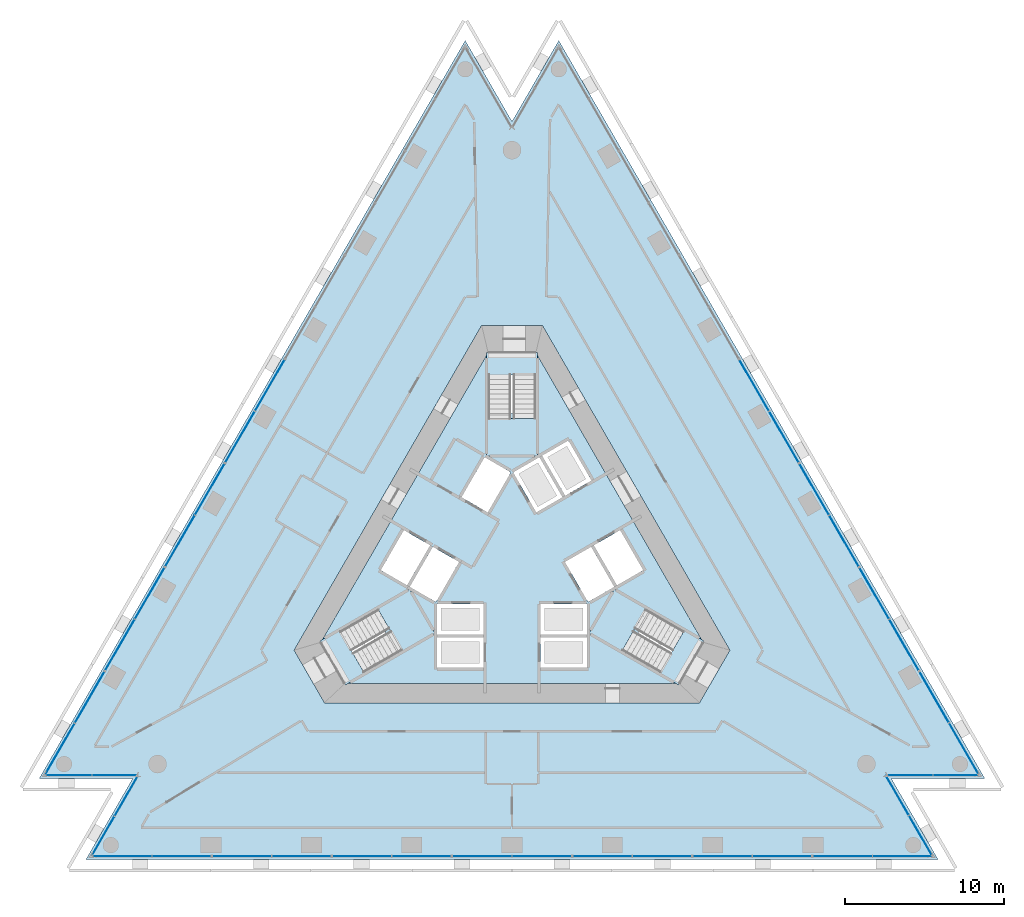
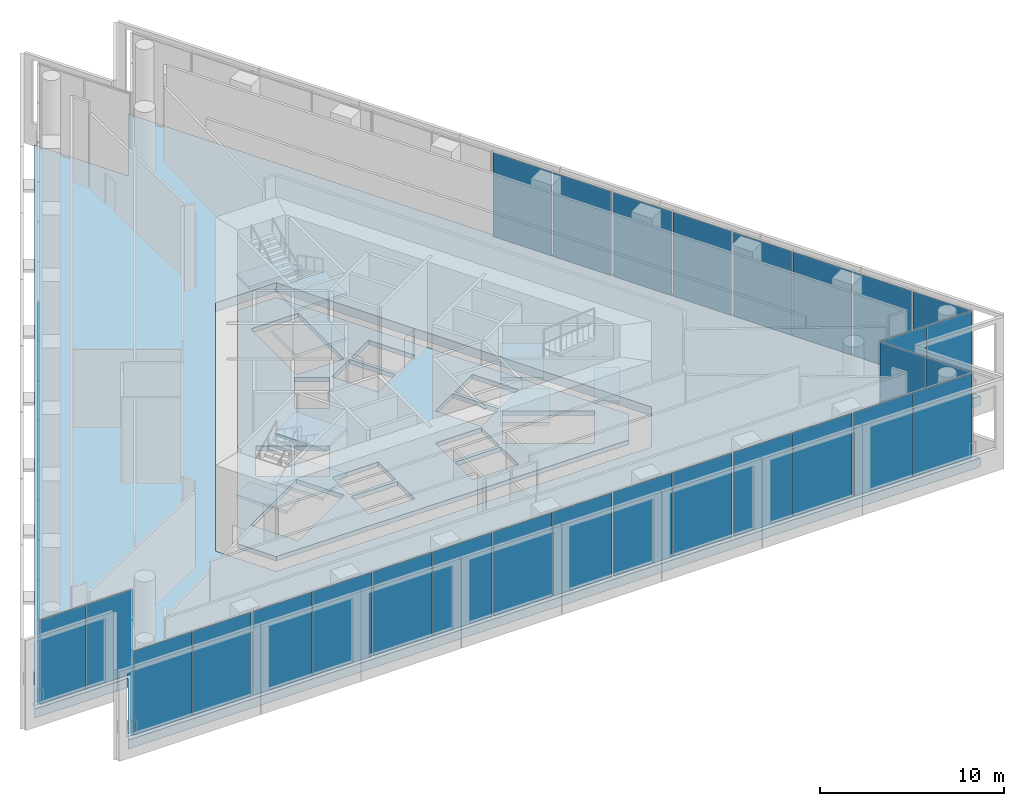
# One storey, part 9 of 18: 38 plates, 11 slabs, 22 elements without a shape of their own.
"""IFC4 building model written with IfcOpenShell, lengths in metres."""

from ifc_helpers import new_model, si_unit, direction, frame, origin, origin_2d, place, context, subcontext, project, spatial, polyline, rectangle, outline, extrude, material, layer, layer_set, type_object, element, aggregate, save


model = new_model("IFC4")

# Units and contexts
model_context = context("Model", 3, precision=1e-05, world=origin(), true_north=direction((0.0, 1.0)))
body_context = subcontext(model_context, "Body", "Model", "MODEL_VIEW")
ifc_project = project(units=[si_unit("LENGTHUNIT", "METRE"), si_unit("AREAUNIT", "SQUARE_METRE"), si_unit("VOLUMEUNIT", "CUBIC_METRE"), si_unit("PLANEANGLEUNIT", "RADIAN"), si_unit("MASSUNIT", "GRAM", prefix="KILO")], contexts=[model_context])

# Site, building, storey
site_placement = place(None, origin())
site = spatial("IfcSite", under=ifc_project, at=site_placement, CompositionType="ELEMENT")
building_placement = place(site_placement, origin())
building = spatial("IfcBuilding", under=site, at=building_placement, Name="Triada Interchange Tower", CompositionType="ELEMENT")
storey_placement = place(building_placement, frame((0.0, 0.0, 185.300048828125)))
storey = spatial("IfcBuildingStorey", under=building, at=storey_placement, Name="L43", CompositionType="ELEMENT", Elevation=185.300048828125)

# Slab
ifc_material_1 = material(Name="Concrete C50/60", Category="concrete")
ifc_layer_1 = layer(ifc_material_1, 0.300048828125)
ifc_layer_set_1 = layer_set([ifc_layer_1], Name="Floor slab 300")
slab_type_1 = type_object("IfcSlabType", Name="Floor slab 300", PredefinedType="FLOOR", material=ifc_layer_set_1)
slab_1_placement = place(storey_placement, frame((0.0, 0.0, -0.300048828125)))
element("IfcSlab", 1, at=slab_1_placement, inside=storey, type_object=slab_type_1, Name="Core floor slab L43 1", PredefinedType="FLOOR", context=body_context, shape_type="SweptSolid", body=[
    extrude(outline(polyline([(12.298095703125, -5.699951171875), (11.0849609375, -7.800048828125), (-11.0849609375, -7.800048828125), (-12.298095703125, -5.699951171875), (-1.2119140625, 13.5), (1.2119140625, 13.5), (12.298095703125, -5.699951171875)]), holes=[polyline([(9.2958984375, -7.09912109375), (10.7958984375, -4.5009765625), (6.466064453125, -2.0009765625), (4.966064453125, -4.59912109375), (9.2958984375, -7.09912109375)]), polyline([(6.7890625, 1.841064453125), (5.14404296875, 0.89111328125), (6.593994140625, -1.6201171875), (8.239013671875, -0.669921875), (6.7890625, 1.841064453125)]), polyline([(4.969970703125, 0.791015625), (3.324951171875, -0.158935546875), (4.77490234375, -2.669921875), (6.419921875, -1.719970703125), (4.969970703125, 0.791015625)]), polyline([(1.89404296875, 6.52001953125), (3.343994140625, 4.009033203125), (4.989013671875, 4.958984375), (3.5390625, 7.469970703125), (1.89404296875, 6.52001953125)]), polyline([(1.800048828125, -5.4150390625), (1.800048828125, -6.800048828125), (4.699951171875, -6.800048828125), (4.699951171875, -4.89990234375), (1.800048828125, -4.89990234375), (1.800048828125, -5.4150390625)]), polyline([(4.699951171875, -2.800048828125), (1.800048828125, -2.800048828125), (1.800048828125, -4.699951171875), (4.699951171875, -4.699951171875), (4.699951171875, -2.800048828125)]), polyline([(1.52490234375, 2.958984375), (1.68994140625, 3.053955078125), (3.169921875, 3.908935546875), (1.719970703125, 6.419921875), (0.074951171875, 5.469970703125), (1.52490234375, 2.958984375)]), polyline([(1.5, 11.60009765625), (-1.5, 11.60009765625), (-1.5, 6.60009765625), (1.5, 6.60009765625), (1.5, 11.60009765625)]), polyline([(-0.074951171875, 5.469970703125), (-1.719970703125, 6.419921875), (-3.169921875, 3.908935546875), (-1.719970703125, 3.071044921875), (-1.52490234375, 2.958984375), (-0.074951171875, 5.469970703125)]), polyline([(-1.800048828125, -2.800048828125), (-4.699951171875, -2.800048828125), (-4.699951171875, -4.699951171875), (-1.800048828125, -4.699951171875), (-1.800048828125, -2.800048828125)]), polyline([(-4.699951171875, -6.800048828125), (-1.800048828125, -6.800048828125), (-1.800048828125, -5.4150390625), (-1.800048828125, -4.89990234375), (-4.699951171875, -4.89990234375), (-4.699951171875, -6.800048828125)]), polyline([(-4.77490234375, -2.669921875), (-3.324951171875, -0.158935546875), (-4.969970703125, 0.791015625), (-6.419921875, -1.719970703125), (-4.77490234375, -2.669921875)]), polyline([(-10.7958984375, -4.5009765625), (-9.2958984375, -7.09912109375), (-4.966064453125, -4.59912109375), (-6.466064453125, -2.0009765625), (-10.7958984375, -4.5009765625)]), polyline([(-6.593994140625, -1.6201171875), (-5.14404296875, 0.89111328125), (-6.7890625, 1.841064453125), (-8.239013671875, -0.669921875), (-6.593994140625, -1.6201171875)])]), origin(), (0.0, 0.0, 1.0), 0.300048828125),
])

# Curtain wall, plates
ifc_material_2 = material(Name="Aluminium framed glazing", Category="aluminium")
ifc_layer_2 = layer(ifc_material_2, 0.199951171875)
ifc_layer_set_2 = layer_set([ifc_layer_2], Name="Curtain wall Sky lobby glazing")
curtain_wall_type_1 = type_object("IfcCurtainWallType", Name="Curtain wall Sky lobby glazing", PredefinedType="NOTDEFINED", material=ifc_layer_set_2)
curtain_wall_1_placement = place(storey_placement, origin())
curtain_wall_1 = element("IfcCurtainWall", 2, at=curtain_wall_1_placement, inside=storey, type_object=curtain_wall_type_1, Name="Sky lobby glazing CW104 L43", PredefinedType="NOTDEFINED")
ifc_material_3 = material(Name="Insulated glazing unit", Category="glass")
ifc_layer_3 = layer(ifc_material_3, 0.028076171875)
ifc_layer_set_3 = layer_set([ifc_layer_3], Name="Glazing panel Sky lobby glazing 28")
plate_type_1 = type_object("IfcPlateType", Name="Glazing panel Sky lobby glazing 28", PredefinedType="CURTAIN_PANEL", material=ifc_layer_set_3)
plate_1_placement = place(storey_placement, frame((-15.20947265625, 10.939208984375, 0.059814453125), z_axis=(0.0, 0.0, 1.0), x_axis=(-0.499963655963, -0.866046386007, 0.0)))
plate_1 = element("IfcPlate", 3, at=plate_1_placement, type_object=plate_type_1, Name="CW104 panel 1.1", PredefinedType="CURTAIN_PANEL", context=body_context, shape_type="SweptSolid", body=[
    extrude(rectangle(XDim=3.67822265625, YDim=0.028076171875, at=origin_2d()), origin(), (0.0, 0.0, 1.0), 5.580078125),
])
plate_2_placement = place(storey_placement, frame((-17.07861328125, 7.70166015625, 0.059814453125), z_axis=(0.0, 0.0, 1.0), x_axis=(-0.499963655963, -0.866046386007, 0.0)))
plate_2 = element("IfcPlate", 4, at=plate_2_placement, type_object=plate_type_1, Name="CW104 panel 2.1", PredefinedType="CURTAIN_PANEL", context=body_context, shape_type="SweptSolid", body=[
    extrude(rectangle(XDim=3.67822265625, YDim=0.028076171875, at=origin_2d()), origin(), (0.0, 0.0, 1.0), 5.580078125),
])
aggregate(curtain_wall_1, [plate_1, plate_2])

curtain_wall_2_placement = place(storey_placement, origin())
curtain_wall_2 = element("IfcCurtainWall", 5, at=curtain_wall_2_placement, inside=storey, type_object=curtain_wall_type_1, Name="Sky lobby glazing CW105 L43", PredefinedType="NOTDEFINED")
plate_3_placement = place(storey_placement, frame((-18.982421875, 4.4033203125, 0.059814453125), z_axis=(0.0, 0.0, 1.0), x_axis=(-0.499963655963, -0.866046386007, 0.0)))
plate_3 = element("IfcPlate", 6, at=plate_3_placement, type_object=plate_type_1, Name="CW105 panel 1.1", PredefinedType="CURTAIN_PANEL", context=body_context, shape_type="SweptSolid", body=[
    extrude(rectangle(XDim=3.67822265625, YDim=0.028076171875, at=origin_2d()), origin(), (0.0, 0.0, 1.0), 5.580078125),
])
plate_4_placement = place(storey_placement, frame((-20.8515625, 1.165771484375, 0.059814453125), z_axis=(0.0, 0.0, 1.0), x_axis=(-0.499963655963, -0.866046386007, 0.0)))
plate_4 = element("IfcPlate", 7, at=plate_4_placement, type_object=plate_type_1, Name="CW105 panel 2.1", PredefinedType="CURTAIN_PANEL", context=body_context, shape_type="SweptSolid", body=[
    extrude(rectangle(XDim=3.67822265625, YDim=0.028076171875, at=origin_2d()), origin(), (0.0, 0.0, 1.0), 5.580078125),
])
aggregate(curtain_wall_2, [plate_3, plate_4])

curtain_wall_3_placement = place(storey_placement, origin())
curtain_wall_3 = element("IfcCurtainWall", 8, at=curtain_wall_3_placement, inside=storey, type_object=curtain_wall_type_1, Name="Sky lobby glazing CW106 L43", PredefinedType="NOTDEFINED")
plate_5_placement = place(storey_placement, frame((-22.755859375, -2.1318359375, 0.059814453125), z_axis=(0.0, 0.0, 1.0), x_axis=(-0.500063165941, -0.86598893184, 0.0)))
plate_5 = element("IfcPlate", 9, at=plate_5_placement, type_object=plate_type_1, Name="CW106 panel 1.1", PredefinedType="CURTAIN_PANEL", context=body_context, shape_type="SweptSolid", body=[
    extrude(rectangle(XDim=3.678466796875, YDim=0.028076171875, at=origin_2d()), origin(), (0.0, 0.0, 1.0), 5.580078125),
])
plate_6_placement = place(storey_placement, frame((-24.625244140625, -5.369140625, 0.059814453125), z_axis=(0.0, 0.0, 1.0), x_axis=(-0.500063165941, -0.86598893184, 0.0)))
plate_6 = element("IfcPlate", 10, at=plate_6_placement, type_object=plate_type_1, Name="CW106 panel 2.1", PredefinedType="CURTAIN_PANEL", context=body_context, shape_type="SweptSolid", body=[
    extrude(rectangle(XDim=3.678466796875, YDim=0.028076171875, at=origin_2d()), origin(), (0.0, 0.0, 1.0), 5.580078125),
])
aggregate(curtain_wall_3, [plate_5, plate_6])

curtain_wall_4_placement = place(storey_placement, origin())
curtain_wall_4 = element("IfcCurtainWall", 11, at=curtain_wall_4_placement, inside=storey, type_object=curtain_wall_type_1, Name="Sky lobby glazing CW107 L43", PredefinedType="NOTDEFINED")
plate_7_placement = place(storey_placement, frame((-26.5302734375, -8.668701171875, 0.059814453125), z_axis=(0.0, 0.0, 1.0), x_axis=(-0.500032359736, -0.866006720076, 0.0)))
plate_7 = element("IfcPlate", 12, at=plate_7_placement, type_object=plate_type_1, Name="CW107 panel 1.1", PredefinedType="CURTAIN_PANEL", context=body_context, shape_type="SweptSolid", body=[
    extrude(rectangle(XDim=3.6806640625, YDim=0.028076171875, at=origin_2d()), origin(), (0.0, 0.0, 1.0), 5.580078125),
])
plate_8_placement = place(storey_placement, frame((-28.400634765625, -11.908203125, 0.059814453125), z_axis=(0.0, 0.0, 1.0), x_axis=(-0.500032359736, -0.866006720076, 0.0)))
plate_8 = element("IfcPlate", 13, at=plate_8_placement, type_object=plate_type_1, Name="CW107 panel 2.1", PredefinedType="CURTAIN_PANEL", context=body_context, shape_type="SweptSolid", body=[
    extrude(rectangle(XDim=3.6806640625, YDim=0.028076171875, at=origin_2d()), origin(), (0.0, 0.0, 1.0), 5.580078125),
])
aggregate(curtain_wall_4, [plate_7, plate_8])

curtain_wall_5_placement = place(storey_placement, origin())
curtain_wall_5 = element("IfcCurtainWall", 14, at=curtain_wall_5_placement, inside=storey, type_object=curtain_wall_type_1, Name="Sky lobby glazing CW110 L43", PredefinedType="NOTDEFINED")
plate_9_placement = place(storey_placement, frame((-24.468505859375, -18.64111328125, 0.059814453125), z_axis=(0.0, 0.0, 1.0), x_axis=(1.0, 0.0, 0.0)))
plate_9 = element("IfcPlate", 15, at=plate_9_placement, type_object=plate_type_1, Name="CW110 panel 1.1", PredefinedType="CURTAIN_PANEL", context=body_context, shape_type="SweptSolid", body=[
    extrude(rectangle(XDim=3.65087890625, YDim=0.028076171875, at=origin_2d()), origin(), (0.0, 0.0, 1.0), 5.580078125),
])
plate_10_placement = place(storey_placement, frame((-20.757568359375, -18.64111328125, 0.059814453125), z_axis=(0.0, 0.0, 1.0), x_axis=(1.0, 0.0, 0.0)))
plate_10 = element("IfcPlate", 16, at=plate_10_placement, type_object=plate_type_1, Name="CW110 panel 2.1", PredefinedType="CURTAIN_PANEL", context=body_context, shape_type="SweptSolid", body=[
    extrude(rectangle(XDim=3.65087890625, YDim=0.028076171875, at=origin_2d()), origin(), (0.0, 0.0, 1.0), 5.580078125),
])
aggregate(curtain_wall_5, [plate_9, plate_10])

curtain_wall_6_placement = place(storey_placement, origin())
curtain_wall_6 = element("IfcCurtainWall", 17, at=curtain_wall_6_placement, inside=storey, type_object=curtain_wall_type_1, Name="Sky lobby glazing CW111 L43", PredefinedType="NOTDEFINED")
plate_11_placement = place(storey_placement, frame((-16.962646484375, -18.64111328125, 0.059814453125), z_axis=(0.0, 0.0, 1.0), x_axis=(1.0, 0.0, 0.0)))
plate_11 = element("IfcPlate", 18, at=plate_11_placement, type_object=plate_type_1, Name="CW111 panel 1.1", PredefinedType="CURTAIN_PANEL", context=body_context, shape_type="SweptSolid", body=[
    extrude(rectangle(XDim=3.678466796875, YDim=0.028076171875, at=origin_2d()), origin(), (0.0, 0.0, 1.0), 5.580078125),
])
plate_12_placement = place(storey_placement, frame((-13.224365234375, -18.64111328125, 0.059814453125), z_axis=(0.0, 0.0, 1.0), x_axis=(1.0, 0.0, 0.0)))
plate_12 = element("IfcPlate", 19, at=plate_12_placement, type_object=plate_type_1, Name="CW111 panel 2.1", PredefinedType="CURTAIN_PANEL", context=body_context, shape_type="SweptSolid", body=[
    extrude(rectangle(XDim=3.678466796875, YDim=0.028076171875, at=origin_2d()), origin(), (0.0, 0.0, 1.0), 5.580078125),
])
aggregate(curtain_wall_6, [plate_11, plate_12])

curtain_wall_7_placement = place(storey_placement, origin())
curtain_wall_7 = element("IfcCurtainWall", 20, at=curtain_wall_7_placement, inside=storey, type_object=curtain_wall_type_1, Name="Sky lobby glazing CW112 L43", PredefinedType="NOTDEFINED")
plate_13_placement = place(storey_placement, frame((-9.415771484375, -18.64111328125, 0.059814453125), z_axis=(0.0, 0.0, 1.0), x_axis=(1.0, 0.0, 0.0)))
plate_13 = element("IfcPlate", 21, at=plate_13_placement, type_object=plate_type_1, Name="CW112 panel 1.1", PredefinedType="CURTAIN_PANEL", context=body_context, shape_type="SweptSolid", body=[
    extrude(rectangle(XDim=3.678466796875, YDim=0.028076171875, at=origin_2d()), origin(), (0.0, 0.0, 1.0), 5.580078125),
])
plate_14_placement = place(storey_placement, frame((-5.67724609375, -18.64111328125, 0.059814453125), z_axis=(0.0, 0.0, 1.0), x_axis=(1.0, 0.0, 0.0)))
plate_14 = element("IfcPlate", 22, at=plate_14_placement, type_object=plate_type_1, Name="CW112 panel 2.1", PredefinedType="CURTAIN_PANEL", context=body_context, shape_type="SweptSolid", body=[
    extrude(rectangle(XDim=3.678466796875, YDim=0.028076171875, at=origin_2d()), origin(), (0.0, 0.0, 1.0), 5.580078125),
])
aggregate(curtain_wall_7, [plate_13, plate_14])

curtain_wall_8_placement = place(storey_placement, origin())
curtain_wall_8 = element("IfcCurtainWall", 23, at=curtain_wall_8_placement, inside=storey, type_object=curtain_wall_type_1, Name="Sky lobby glazing CW113 L43", PredefinedType="NOTDEFINED")
plate_15_placement = place(storey_placement, frame((-1.868896484375, -18.64111328125, 0.059814453125), z_axis=(0.0, 0.0, 1.0), x_axis=(1.0, 0.0, 0.0)))
plate_15 = element("IfcPlate", 24, at=plate_15_placement, type_object=plate_type_1, Name="CW113 panel 1.1", PredefinedType="CURTAIN_PANEL", context=body_context, shape_type="SweptSolid", body=[
    extrude(rectangle(XDim=3.677978515625, YDim=0.028076171875, at=origin_2d()), origin(), (0.0, 0.0, 1.0), 5.580078125),
])
plate_16_placement = place(storey_placement, frame((1.868896484375, -18.64111328125, 0.059814453125), z_axis=(0.0, 0.0, 1.0), x_axis=(1.0, 0.0, 0.0)))
plate_16 = element("IfcPlate", 25, at=plate_16_placement, type_object=plate_type_1, Name="CW113 panel 2.1", PredefinedType="CURTAIN_PANEL", context=body_context, shape_type="SweptSolid", body=[
    extrude(rectangle(XDim=3.677978515625, YDim=0.028076171875, at=origin_2d()), origin(), (0.0, 0.0, 1.0), 5.580078125),
])
aggregate(curtain_wall_8, [plate_15, plate_16])

curtain_wall_9_placement = place(storey_placement, origin())
curtain_wall_9 = element("IfcCurtainWall", 26, at=curtain_wall_9_placement, inside=storey, type_object=curtain_wall_type_1, Name="Sky lobby glazing CW114 L43", PredefinedType="NOTDEFINED")
plate_17_placement = place(storey_placement, frame((5.67724609375, -18.64111328125, 0.059814453125), z_axis=(0.0, 0.0, 1.0), x_axis=(1.0, 0.0, 0.0)))
plate_17 = element("IfcPlate", 27, at=plate_17_placement, type_object=plate_type_1, Name="CW114 panel 1.1", PredefinedType="CURTAIN_PANEL", context=body_context, shape_type="SweptSolid", body=[
    extrude(rectangle(XDim=3.678466796875, YDim=0.028076171875, at=origin_2d()), origin(), (0.0, 0.0, 1.0), 5.580078125),
])
plate_18_placement = place(storey_placement, frame((9.415771484375, -18.64111328125, 0.059814453125), z_axis=(0.0, 0.0, 1.0), x_axis=(1.0, 0.0, 0.0)))
plate_18 = element("IfcPlate", 28, at=plate_18_placement, type_object=plate_type_1, Name="CW114 panel 2.1", PredefinedType="CURTAIN_PANEL", context=body_context, shape_type="SweptSolid", body=[
    extrude(rectangle(XDim=3.678466796875, YDim=0.028076171875, at=origin_2d()), origin(), (0.0, 0.0, 1.0), 5.580078125),
])
aggregate(curtain_wall_9, [plate_17, plate_18])

curtain_wall_10_placement = place(storey_placement, origin())
curtain_wall_10 = element("IfcCurtainWall", 29, at=curtain_wall_10_placement, inside=storey, type_object=curtain_wall_type_1, Name="Sky lobby glazing CW115 L43", PredefinedType="NOTDEFINED")
plate_19_placement = place(storey_placement, frame((13.224365234375, -18.64111328125, 0.059814453125), z_axis=(0.0, 0.0, 1.0), x_axis=(1.0, 0.0, 0.0)))
plate_19 = element("IfcPlate", 30, at=plate_19_placement, type_object=plate_type_1, Name="CW115 panel 1.1", PredefinedType="CURTAIN_PANEL", context=body_context, shape_type="SweptSolid", body=[
    extrude(rectangle(XDim=3.678466796875, YDim=0.028076171875, at=origin_2d()), origin(), (0.0, 0.0, 1.0), 5.580078125),
])
plate_20_placement = place(storey_placement, frame((16.962646484375, -18.64111328125, 0.059814453125), z_axis=(0.0, 0.0, 1.0), x_axis=(1.0, 0.0, 0.0)))
plate_20 = element("IfcPlate", 31, at=plate_20_placement, type_object=plate_type_1, Name="CW115 panel 2.1", PredefinedType="CURTAIN_PANEL", context=body_context, shape_type="SweptSolid", body=[
    extrude(rectangle(XDim=3.678466796875, YDim=0.028076171875, at=origin_2d()), origin(), (0.0, 0.0, 1.0), 5.580078125),
])
aggregate(curtain_wall_10, [plate_19, plate_20])

curtain_wall_11_placement = place(storey_placement, origin())
curtain_wall_11 = element("IfcCurtainWall", 32, at=curtain_wall_11_placement, inside=storey, type_object=curtain_wall_type_1, Name="Sky lobby glazing CW116 L43", PredefinedType="NOTDEFINED")
plate_21_placement = place(storey_placement, frame((20.7724609375, -18.64111328125, 0.059814453125), z_axis=(0.0, 0.0, 1.0), x_axis=(1.0, 0.0, 0.0)))
plate_21 = element("IfcPlate", 33, at=plate_21_placement, type_object=plate_type_1, Name="CW116 panel 1.1", PredefinedType="CURTAIN_PANEL", context=body_context, shape_type="SweptSolid", body=[
    extrude(rectangle(XDim=3.680908203125, YDim=0.028076171875, at=origin_2d()), origin(), (0.0, 0.0, 1.0), 5.580078125),
])
plate_22_placement = place(storey_placement, frame((24.513427734375, -18.64111328125, 0.059814453125), z_axis=(0.0, 0.0, 1.0), x_axis=(1.0, 0.0, 0.0)))
plate_22 = element("IfcPlate", 34, at=plate_22_placement, type_object=plate_type_1, Name="CW116 panel 2.1", PredefinedType="CURTAIN_PANEL", context=body_context, shape_type="SweptSolid", body=[
    extrude(rectangle(XDim=3.680908203125, YDim=0.028076171875, at=origin_2d()), origin(), (0.0, 0.0, 1.0), 5.580078125),
])
aggregate(curtain_wall_11, [plate_21, plate_22])

curtain_wall_12_placement = place(storey_placement, origin())
curtain_wall_12 = element("IfcCurtainWall", 35, at=curtain_wall_12_placement, inside=storey, type_object=curtain_wall_type_1, Name="Sky lobby glazing CW119 L43", PredefinedType="NOTDEFINED")
plate_23_placement = place(storey_placement, frame((28.378173828125, -11.869140625, 0.059814453125), z_axis=(0.0, 0.0, 1.0), x_axis=(-0.500034846248, 0.866005284359, 0.0)))
plate_23 = element("IfcPlate", 36, at=plate_23_placement, type_object=plate_type_1, Name="CW119 panel 1.1", PredefinedType="CURTAIN_PANEL", context=body_context, shape_type="SweptSolid", body=[
    extrude(rectangle(XDim=3.650634765625, YDim=0.028076171875, at=origin_2d()), origin(), (0.0, 0.0, 1.0), 5.580078125),
])
plate_24_placement = place(storey_placement, frame((26.522705078125, -8.65576171875, 0.059814453125), z_axis=(0.0, 0.0, 1.0), x_axis=(-0.500034846248, 0.866005284359, 0.0)))
plate_24 = element("IfcPlate", 37, at=plate_24_placement, type_object=plate_type_1, Name="CW119 panel 2.1", PredefinedType="CURTAIN_PANEL", context=body_context, shape_type="SweptSolid", body=[
    extrude(rectangle(XDim=3.650634765625, YDim=0.028076171875, at=origin_2d()), origin(), (0.0, 0.0, 1.0), 5.580078125),
])
aggregate(curtain_wall_12, [plate_23, plate_24])

curtain_wall_13_placement = place(storey_placement, origin())
curtain_wall_13 = element("IfcCurtainWall", 38, at=curtain_wall_13_placement, inside=storey, type_object=curtain_wall_type_1, Name="Sky lobby glazing CW120 L43", PredefinedType="NOTDEFINED")
plate_25_placement = place(storey_placement, frame((24.62548828125, -5.369140625, 0.059814453125), z_axis=(0.0, 0.0, 1.0), x_axis=(-0.499963655963, 0.866046386007, 0.0)))
plate_25 = element("IfcPlate", 39, at=plate_25_placement, type_object=plate_type_1, Name="CW120 panel 1.1", PredefinedType="CURTAIN_PANEL", context=body_context, shape_type="SweptSolid", body=[
    extrude(rectangle(XDim=3.67822265625, YDim=0.028076171875, at=origin_2d()), origin(), (0.0, 0.0, 1.0), 5.580078125),
])
plate_26_placement = place(storey_placement, frame((22.756591796875, -2.1318359375, 0.059814453125), z_axis=(0.0, 0.0, 1.0), x_axis=(-0.499963655963, 0.866046386007, 0.0)))
plate_26 = element("IfcPlate", 40, at=plate_26_placement, type_object=plate_type_1, Name="CW120 panel 2.1", PredefinedType="CURTAIN_PANEL", context=body_context, shape_type="SweptSolid", body=[
    extrude(rectangle(XDim=3.67822265625, YDim=0.028076171875, at=origin_2d()), origin(), (0.0, 0.0, 1.0), 5.580078125),
])
aggregate(curtain_wall_13, [plate_25, plate_26])

curtain_wall_14_placement = place(storey_placement, origin())
curtain_wall_14 = element("IfcCurtainWall", 41, at=curtain_wall_14_placement, inside=storey, type_object=curtain_wall_type_1, Name="Sky lobby glazing CW121 L43", PredefinedType="NOTDEFINED")
plate_27_placement = place(storey_placement, frame((20.852294921875, 1.16650390625, 0.059814453125), z_axis=(0.0, 0.0, 1.0), x_axis=(-0.500120627513, 0.865955748255, 0.0)))
plate_27 = element("IfcPlate", 42, at=plate_27_placement, type_object=plate_type_1, Name="CW121 panel 1.1", PredefinedType="CURTAIN_PANEL", context=body_context, shape_type="SweptSolid", body=[
    extrude(rectangle(XDim=3.677978515625, YDim=0.028076171875, at=origin_2d()), origin(), (0.0, 0.0, 1.0), 5.580078125),
])
plate_28_placement = place(storey_placement, frame((18.982666015625, 4.403564453125, 0.059814453125), z_axis=(0.0, 0.0, 1.0), x_axis=(-0.500120627513, 0.865955748255, 0.0)))
plate_28 = element("IfcPlate", 43, at=plate_28_placement, type_object=plate_type_1, Name="CW121 panel 2.1", PredefinedType="CURTAIN_PANEL", context=body_context, shape_type="SweptSolid", body=[
    extrude(rectangle(XDim=3.677978515625, YDim=0.028076171875, at=origin_2d()), origin(), (0.0, 0.0, 1.0), 5.580078125),
])
aggregate(curtain_wall_14, [plate_27, plate_28])

curtain_wall_15_placement = place(storey_placement, origin())
curtain_wall_15 = element("IfcCurtainWall", 44, at=curtain_wall_15_placement, inside=storey, type_object=curtain_wall_type_1, Name="Sky lobby glazing CW122 L43", PredefinedType="NOTDEFINED")
plate_29_placement = place(storey_placement, frame((17.07861328125, 7.70166015625, 0.059814453125), z_axis=(0.0, 0.0, 1.0), x_axis=(-0.499963655963, 0.866046386007, 0.0)))
plate_29 = element("IfcPlate", 45, at=plate_29_placement, type_object=plate_type_1, Name="CW122 panel 1.1", PredefinedType="CURTAIN_PANEL", context=body_context, shape_type="SweptSolid", body=[
    extrude(rectangle(XDim=3.67822265625, YDim=0.028076171875, at=origin_2d()), origin(), (0.0, 0.0, 1.0), 5.580078125),
])
plate_30_placement = place(storey_placement, frame((15.20947265625, 10.939208984375, 0.059814453125), z_axis=(0.0, 0.0, 1.0), x_axis=(-0.499963655963, 0.866046386007, 0.0)))
plate_30 = element("IfcPlate", 46, at=plate_30_placement, type_object=plate_type_1, Name="CW122 panel 2.1", PredefinedType="CURTAIN_PANEL", context=body_context, shape_type="SweptSolid", body=[
    extrude(rectangle(XDim=3.67822265625, YDim=0.028076171875, at=origin_2d()), origin(), (0.0, 0.0, 1.0), 5.580078125),
])
aggregate(curtain_wall_15, [plate_29, plate_30])

ifc_layer_4 = layer(ifc_material_2, 0.199951171875)
ifc_layer_set_4 = layer_set([ifc_layer_4], Name="Curtain wall Winter garden glazing")
curtain_wall_type_2 = type_object("IfcCurtainWallType", Name="Curtain wall Winter garden glazing", PredefinedType="NOTDEFINED", material=ifc_layer_set_4)
curtain_wall_16_placement = place(storey_placement, origin())
curtain_wall_16 = element("IfcCurtainWall", 47, at=curtain_wall_16_placement, inside=storey, type_object=curtain_wall_type_2, Name="Winter garden glazing CW108 L43", PredefinedType="NOTDEFINED")
ifc_layer_5 = layer(ifc_material_3, 0.02392578125)
ifc_layer_set_5 = layer_set([ifc_layer_5], Name="Glazing panel Winter garden glazing 24")
plate_type_2 = type_object("IfcPlateType", Name="Glazing panel Winter garden glazing 24", PredefinedType="CURTAIN_PANEL", material=ifc_layer_set_5)
plate_31_placement = place(storey_placement, frame((-27.824951171875, -13.553955078125, 0.0498046875), z_axis=(0.0, 0.0, 1.0), x_axis=(1.0, 0.0, 0.0)))
plate_31 = element("IfcPlate", 48, at=plate_31_placement, type_object=plate_type_2, Name="CW108 panel 1.1", PredefinedType="CURTAIN_PANEL", context=body_context, shape_type="SweptSolid", body=[
    extrude(rectangle(XDim=2.83203125, YDim=0.02392578125, at=origin_2d()), origin(), (0.0, 0.0, 1.0), 5.60009765625),
])
plate_32_placement = place(storey_placement, frame((-24.943115234375, -13.553955078125, 0.0498046875), z_axis=(0.0, 0.0, 1.0), x_axis=(1.0, 0.0, 0.0)))
plate_32 = element("IfcPlate", 49, at=plate_32_placement, type_object=plate_type_2, Name="CW108 panel 2.1", PredefinedType="CURTAIN_PANEL", context=body_context, shape_type="SweptSolid", body=[
    extrude(rectangle(XDim=2.83203125, YDim=0.02392578125, at=origin_2d()), origin(), (0.0, 0.0, 1.0), 5.60009765625),
])
aggregate(curtain_wall_16, [plate_31, plate_32])

curtain_wall_17_placement = place(storey_placement, origin())
curtain_wall_17 = element("IfcCurtainWall", 50, at=curtain_wall_17_placement, inside=storey, type_object=curtain_wall_type_2, Name="Winter garden glazing CW109 L43", PredefinedType="NOTDEFINED")
plate_33_placement = place(storey_placement, frame((-24.239990234375, -14.87548828125, 0.0498046875), z_axis=(0.0, 0.0, 1.0), x_axis=(-0.500005339907, -0.866022320766, 0.0)))
plate_33 = element("IfcPlate", 51, at=plate_33_placement, type_object=plate_type_2, Name="CW109 panel 1.1", PredefinedType="CURTAIN_PANEL", context=body_context, shape_type="SweptSolid", body=[
    extrude(rectangle(XDim=2.83203125, YDim=0.02392578125, at=origin_2d()), origin(), (0.0, 0.0, 1.0), 5.60009765625),
])
plate_34_placement = place(storey_placement, frame((-25.680908203125, -17.371337890625, 0.0498046875), z_axis=(0.0, 0.0, 1.0), x_axis=(-0.500005339907, -0.866022320766, 0.0)))
plate_34 = element("IfcPlate", 52, at=plate_34_placement, type_object=plate_type_2, Name="CW109 panel 2.1", PredefinedType="CURTAIN_PANEL", context=body_context, shape_type="SweptSolid", body=[
    extrude(rectangle(XDim=2.83203125, YDim=0.02392578125, at=origin_2d()), origin(), (0.0, 0.0, 1.0), 5.60009765625),
])
aggregate(curtain_wall_17, [plate_33, plate_34])

curtain_wall_18_placement = place(storey_placement, origin())
curtain_wall_18 = element("IfcCurtainWall", 53, at=curtain_wall_18_placement, inside=storey, type_object=curtain_wall_type_2, Name="Winter garden glazing CW117 L43", PredefinedType="NOTDEFINED")
plate_35_placement = place(storey_placement, frame((25.65087890625, -17.3193359375, 0.0498046875), z_axis=(0.0, 0.0, 1.0), x_axis=(-0.500005339907, 0.866022320766, 0.0)))
plate_35 = element("IfcPlate", 54, at=plate_35_placement, type_object=plate_type_2, Name="CW117 panel 1.1", PredefinedType="CURTAIN_PANEL", context=body_context, shape_type="SweptSolid", body=[
    extrude(rectangle(XDim=2.83203125, YDim=0.02392578125, at=origin_2d()), origin(), (0.0, 0.0, 1.0), 5.60009765625),
])
plate_36_placement = place(storey_placement, frame((24.2099609375, -14.823486328125, 0.0498046875), z_axis=(0.0, 0.0, 1.0), x_axis=(-0.500005339907, 0.866022320766, 0.0)))
plate_36 = element("IfcPlate", 55, at=plate_36_placement, type_object=plate_type_2, Name="CW117 panel 2.1", PredefinedType="CURTAIN_PANEL", context=body_context, shape_type="SweptSolid", body=[
    extrude(rectangle(XDim=2.83203125, YDim=0.02392578125, at=origin_2d()), origin(), (0.0, 0.0, 1.0), 5.60009765625),
])
aggregate(curtain_wall_18, [plate_35, plate_36])

curtain_wall_19_placement = place(storey_placement, origin())
curtain_wall_19 = element("IfcCurtainWall", 56, at=curtain_wall_19_placement, inside=storey, type_object=curtain_wall_type_2, Name="Winter garden glazing CW118 L43", PredefinedType="NOTDEFINED")
plate_37_placement = place(storey_placement, frame((25.0029296875, -13.553955078125, 0.0498046875), z_axis=(0.0, 0.0, 1.0), x_axis=(1.0, 0.0, 0.0)))
plate_37 = element("IfcPlate", 57, at=plate_37_placement, type_object=plate_type_2, Name="CW118 panel 1.1", PredefinedType="CURTAIN_PANEL", context=body_context, shape_type="SweptSolid", body=[
    extrude(rectangle(XDim=2.83203125, YDim=0.02392578125, at=origin_2d()), origin(), (0.0, 0.0, 1.0), 5.60009765625),
])
plate_38_placement = place(storey_placement, frame((27.885009765625, -13.553955078125, 0.0498046875), z_axis=(0.0, 0.0, 1.0), x_axis=(1.0, 0.0, 0.0)))
plate_38 = element("IfcPlate", 58, at=plate_38_placement, type_object=plate_type_2, Name="CW118 panel 2.1", PredefinedType="CURTAIN_PANEL", context=body_context, shape_type="SweptSolid", body=[
    extrude(rectangle(XDim=2.83203125, YDim=0.02392578125, at=origin_2d()), origin(), (0.0, 0.0, 1.0), 5.60009765625),
])
aggregate(curtain_wall_19, [plate_37, plate_38])

# Stair, slabs
ifc_material_4 = material(Name="Concrete C35/45", Category="concrete")
stair_type = type_object("IfcStairType", Name="HALF TURN STAIR 1400", PredefinedType="HALF_TURN_STAIR", material=ifc_material_4)
stair_1_placement = place(storey_placement, origin())
stair_1 = element("IfcStair", 59, at=stair_1_placement, inside=storey, type_object=stair_type, Name="Exit stair S43-1", PredefinedType="HALF_TURN_STAIR")
ifc_layer_6 = layer(ifc_material_4, 0.199951171875)
ifc_layer_set_6 = layer_set([ifc_layer_6], Name="STAIR LANDING 200")
slab_type_2 = type_object("IfcSlabType", Name="STAIR LANDING 200", PredefinedType="LANDING", material=ifc_layer_set_6)
slab_2_placement = place(storey_placement, frame((0.0, 0.0, 1.220947265625)))
slab_2 = element("IfcSlab", 60, at=slab_2_placement, type_object=slab_type_2, Name="S43-1 landing 1", PredefinedType="LANDING", context=body_context, shape_type="SweptSolid", body=[
    extrude(outline(polyline([(1.60009765625, 6.5), (1.60009765625, 9.159912109375), (-1.60009765625, 9.159912109375), (-1.60009765625, 6.5), (1.60009765625, 6.5)])), origin(), (0.0, 0.0, 1.0), 0.199951171875),
])
slab_3_placement = place(storey_placement, frame((0.0, 0.0, 4.220947265625)))
slab_3 = element("IfcSlab", 61, at=slab_3_placement, type_object=slab_type_2, Name="S43-1 landing 2", PredefinedType="LANDING", context=body_context, shape_type="SweptSolid", body=[
    extrude(outline(polyline([(1.60009765625, 6.5), (1.60009765625, 8.85498046875), (-1.60009765625, 8.85498046875), (-1.60009765625, 6.5), (1.60009765625, 6.5)])), origin(), (0.0, 0.0, 1.0), 0.199951171875),
])
slab_4_placement = place(storey_placement, frame((0.0, 0.0, 2.641845703125)))
slab_4 = element("IfcSlab", 62, at=slab_4_placement, type_object=slab_type_2, Name="S43-1 landing 3", PredefinedType="LANDING", context=body_context, shape_type="SweptSolid", body=[
    extrude(outline(polyline([(1.60009765625, 11.60009765625), (1.60009765625, 13.0), (-1.60009765625, 13.0), (-1.60009765625, 11.60009765625), (1.60009765625, 11.60009765625)])), origin(), (0.0, 0.0, 1.0), 0.2001953125),
])
aggregate(stair_1, [slab_2, slab_3, slab_4])

stair_2_placement = place(storey_placement, origin())
stair_2 = element("IfcStair", 63, at=stair_2_placement, inside=storey, type_object=stair_type, Name="Exit stair S43-2", PredefinedType="HALF_TURN_STAIR")
slab_5_placement = place(storey_placement, frame((0.0, 0.0, 1.220947265625)))
slab_5 = element("IfcSlab", 64, at=slab_5_placement, type_object=slab_type_2, Name="S43-2 landing 1", PredefinedType="LANDING", context=body_context, shape_type="SweptSolid", body=[
    extrude(outline(polyline([(-6.428955078125, -1.864013671875), (-8.73291015625, -3.194091796875), (-7.133056640625, -5.966064453125), (-4.8291015625, -4.635986328125), (-6.428955078125, -1.864013671875)])), origin(), (0.0, 0.0, 1.0), 0.199951171875),
])
slab_6_placement = place(storey_placement, frame((0.0, 0.0, 4.220947265625)))
slab_6 = element("IfcSlab", 65, at=slab_6_placement, type_object=slab_type_2, Name="S43-2 landing 2", PredefinedType="LANDING", context=body_context, shape_type="SweptSolid", body=[
    extrude(outline(polyline([(-6.428955078125, -1.864013671875), (-8.468994140625, -3.0419921875), (-6.868896484375, -5.81298828125), (-4.8291015625, -4.635986328125), (-6.428955078125, -1.864013671875)])), origin(), (0.0, 0.0, 1.0), 0.199951171875),
])
slab_7_placement = place(storey_placement, frame((0.0, 0.0, 2.641845703125)))
slab_7 = element("IfcSlab", 66, at=slab_7_placement, type_object=slab_type_2, Name="S43-2 landing 3", PredefinedType="LANDING", context=body_context, shape_type="SweptSolid", body=[
    extrude(outline(polyline([(-10.845947265625, -4.4140625), (-12.05810546875, -5.114013671875), (-10.4580078125, -7.885986328125), (-9.24609375, -7.18603515625), (-10.845947265625, -4.4140625)])), origin(), (0.0, 0.0, 1.0), 0.2001953125),
])
aggregate(stair_2, [slab_5, slab_6, slab_7])

stair_3_placement = place(storey_placement, origin())
stair_3 = element("IfcStair", 67, at=stair_3_placement, inside=storey, type_object=stair_type, Name="Exit stair S43-3", PredefinedType="HALF_TURN_STAIR")
slab_8_placement = place(storey_placement, frame((0.0, 0.0, 1.220947265625)))
slab_8 = element("IfcSlab", 68, at=slab_8_placement, type_object=slab_type_2, Name="S43-3 landing 1", PredefinedType="LANDING", context=body_context, shape_type="SweptSolid", body=[
    extrude(outline(polyline([(4.8291015625, -4.635986328125), (7.133056640625, -5.966064453125), (8.73291015625, -3.194091796875), (6.428955078125, -1.864013671875), (4.8291015625, -4.635986328125)])), origin(), (0.0, 0.0, 1.0), 0.199951171875),
])
slab_9_placement = place(storey_placement, frame((0.0, 0.0, 4.220947265625)))
slab_9 = element("IfcSlab", 69, at=slab_9_placement, type_object=slab_type_2, Name="S43-3 landing 2", PredefinedType="LANDING", context=body_context, shape_type="SweptSolid", body=[
    extrude(outline(polyline([(4.8291015625, -4.635986328125), (6.868896484375, -5.81298828125), (8.468994140625, -3.0419921875), (6.428955078125, -1.864013671875), (4.8291015625, -4.635986328125)])), origin(), (0.0, 0.0, 1.0), 0.199951171875),
])
slab_10_placement = place(storey_placement, frame((0.0, 0.0, 2.641845703125)))
slab_10 = element("IfcSlab", 70, at=slab_10_placement, type_object=slab_type_2, Name="S43-3 landing 3", PredefinedType="LANDING", context=body_context, shape_type="SweptSolid", body=[
    extrude(outline(polyline([(9.24609375, -7.18603515625), (10.4580078125, -7.885986328125), (12.05810546875, -5.114013671875), (10.845947265625, -4.4140625), (9.24609375, -7.18603515625)])), origin(), (0.0, 0.0, 1.0), 0.2001953125),
])
aggregate(stair_3, [slab_8, slab_9, slab_10])

# Slab
ifc_layer_7 = layer(ifc_material_1, 0.60009765625)
ifc_layer_set_7 = layer_set([ifc_layer_7], Name="Transfer slab 600")
slab_type_3 = type_object("IfcSlabType", Name="Transfer slab 600", PredefinedType="FLOOR", material=ifc_layer_set_7)
slab_11_placement = place(storey_placement, frame((0.0, 0.0, -0.60009765625)))
element("IfcSlab", 71, at=slab_11_placement, inside=storey, type_object=slab_type_3, Name="Floor slab L43", PredefinedType="FLOOR", context=body_context, shape_type="SweptSolid", body=[
    extrude(outline(polyline([(-2.93701171875, 32.594970703125), (-29.697021484375, -13.75390625), (-23.822998046875, -13.75390625), (-26.760009765625, -18.841064453125), (26.760009765625, -18.841064453125), (23.822998046875, -13.75390625), (29.697021484375, -13.75390625), (2.93701171875, 32.594970703125), (0.0, 27.508056640625), (-2.93701171875, 32.594970703125)]), holes=[polyline([(1.905029296875, 14.699951171875), (-1.905029296875, 14.699951171875), (-13.68310546875, -5.699951171875), (-11.778076171875, -9.0), (11.778076171875, -9.0), (13.68310546875, -5.699951171875), (1.905029296875, 14.699951171875)])]), origin(), (0.0, 0.0, 1.0), 0.60009765625),
])

save(model, "model.ifc")
